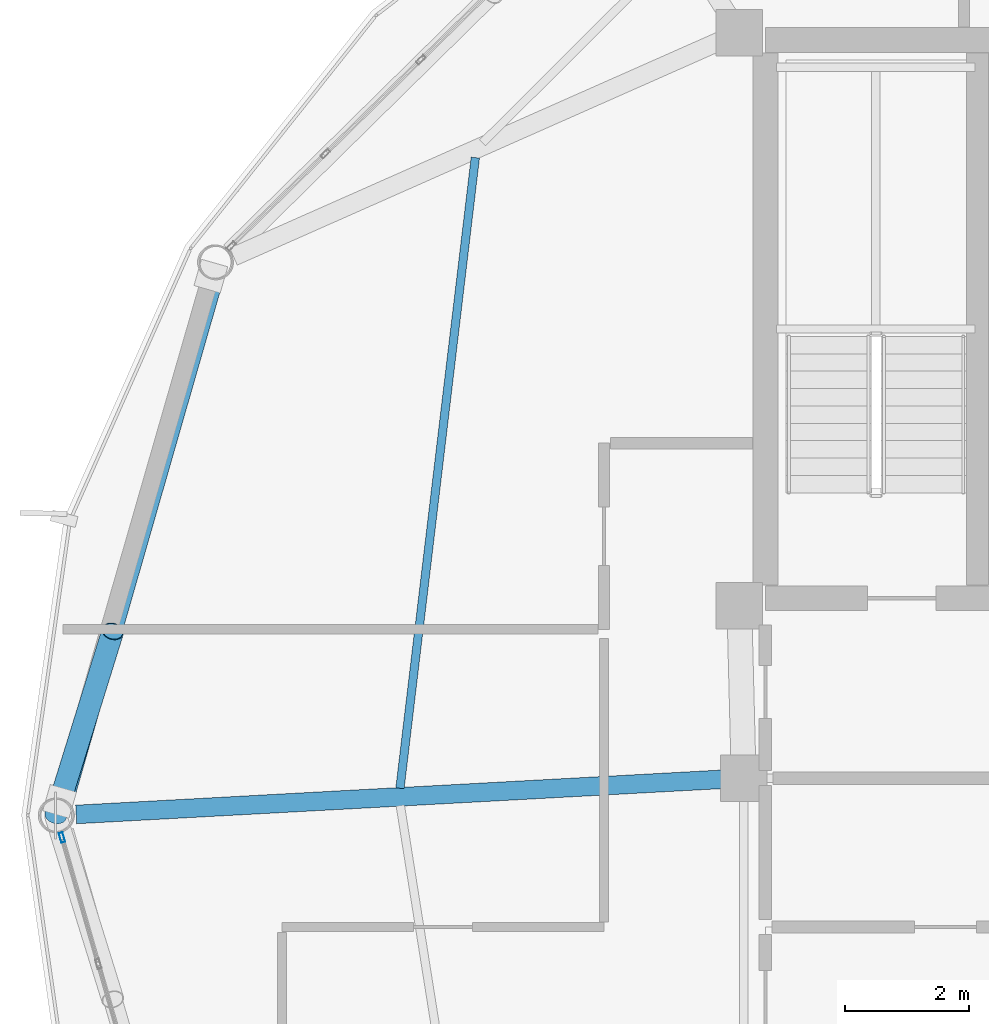
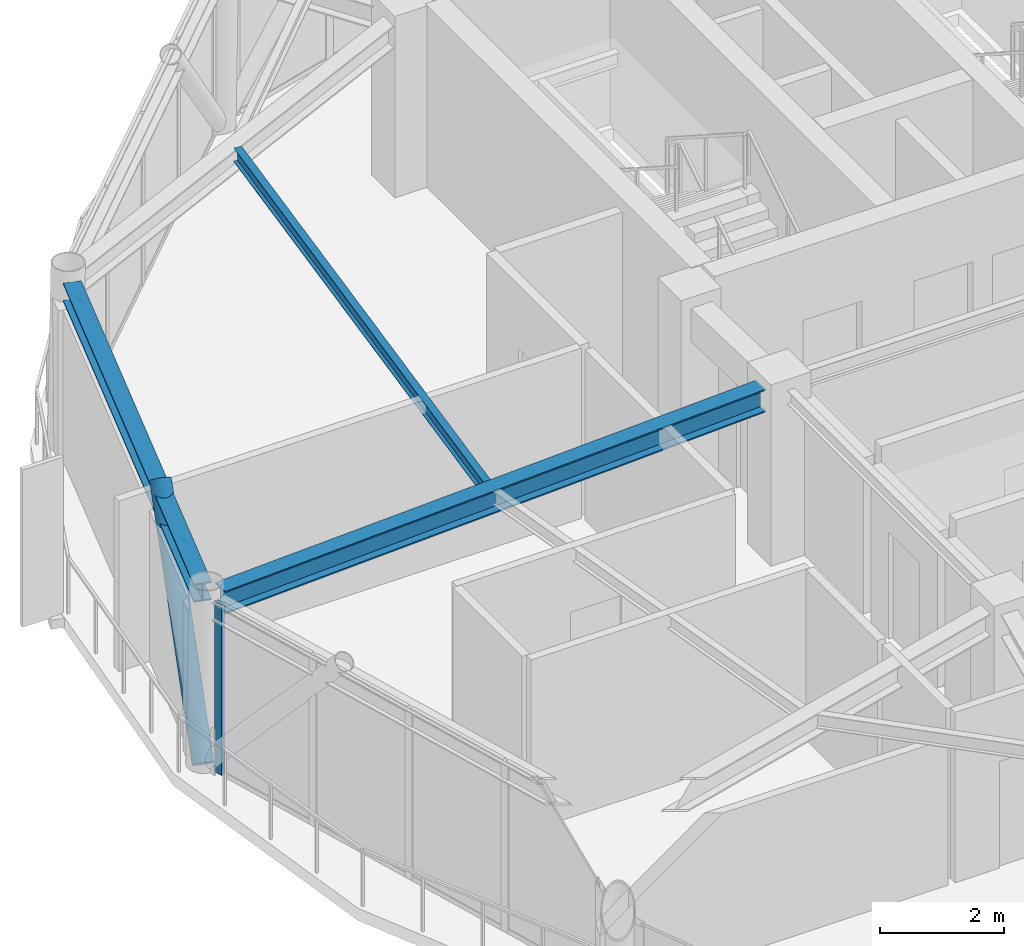
# One storey, part 10 of 25: 3 beams, 2 members, 1 element without a shape of its own.
"""IFC4 building model written with IfcOpenShell, lengths in metres."""

from ifc_helpers import new_model, si_unit, direction, frame, origin, origin_2d, place, context, subcontext, project, spatial, hollow_rectangle, hollow_circle, i_section, extrude, material, layer, layer_set, material_profile, profile_set, type_object, element, aggregate, save


model = new_model("IFC4")

# Units and contexts
model_context = context("Model", 3, precision=1e-05, world=origin(), true_north=direction((0.0, 1.0)))
body_context = subcontext(model_context, "Body", "Model", "MODEL_VIEW")
ifc_project = project(units=[si_unit("LENGTHUNIT", "METRE"), si_unit("AREAUNIT", "SQUARE_METRE"), si_unit("VOLUMEUNIT", "CUBIC_METRE"), si_unit("PLANEANGLEUNIT", "RADIAN"), si_unit("MASSUNIT", "GRAM", prefix="KILO")], contexts=[model_context])

# Site, building, storey
site_placement = place(None, origin())
site = spatial("IfcSite", under=ifc_project, at=site_placement, CompositionType="ELEMENT")
building_placement = place(site_placement, origin())
building = spatial("IfcBuilding", under=site, at=building_placement, Name="Varnakorn Sky Granary", CompositionType="ELEMENT")
storey_placement = place(building_placement, frame((0.0, 0.0, 259.800048828125)))
storey = spatial("IfcBuildingStorey", under=building, at=storey_placement, Name="L66", CompositionType="ELEMENT", Elevation=259.800048828125)

# Beams
ifc_material_1 = material(Name="Steel S355JR", Category="steel")
ifc_material_profile_1 = material_profile(ifc_material_1, i_section(OverallWidth=0.300048828125, OverallDepth=0.449951171875, WebThickness=0.013916015625, FlangeThickness=0.02587890625, at=origin_2d()), Name="HE 450 B")
ifc_profile_set_1 = profile_set([ifc_material_profile_1], Name="Steel S355JR")
beam_type_1 = type_object("IfcBeamType", Name="BM-RAD-Z5", PredefinedType="BEAM", material=ifc_profile_set_1)
beam_1_placement = place(storey_placement, frame((-2.70458984375, 0.580810546875, 3.135009765625), z_axis=(-0.998521724967, -0.054354068558, 0.0), x_axis=(0.054354068558, -0.998521724967, 0.0)))
element("IfcBeam", 1, at=beam_1_placement, inside=storey, type_object=beam_type_1, Name="Radial Floor Girder RG07 L66", PredefinedType="BEAM", context=body_context, shape_type="SweptSolid", body=[
    extrude(i_section(OverallWidth=0.300048828125, OverallDepth=0.449951171875, WebThickness=0.013916015625, FlangeThickness=0.02587890625, at=origin_2d()), origin(), (0.0, 0.0, 1.0), 10.420654296875),
])
ifc_material_profile_2 = material_profile(ifc_material_1, i_section(OverallWidth=0.135009765625, OverallDepth=0.27001953125, WebThickness=0.006591796875, FlangeThickness=0.01025390625, at=origin_2d()), Name="IPE 270")
ifc_profile_set_2 = profile_set([ifc_material_profile_2], Name="Steel S355JR")
beam_type_2 = type_object("IfcBeamType", Name="BM-SEC-Z5", PredefinedType="BEAM", material=ifc_profile_set_2)
beam_2_placement = place(storey_placement, frame((-6.67578125, 10.60302734375, 3.224853515625), z_axis=(-0.118650637624, -0.992936063496, 0.0), x_axis=(0.992936063496, -0.118650637624, 0.0)))
element("IfcBeam", 2, at=beam_2_placement, inside=storey, type_object=beam_type_2, Name="Secondary Floor Chord Beam MSB06 L66", PredefinedType="BEAM", context=body_context, shape_type="SweptSolid", body=[
    extrude(i_section(OverallWidth=0.135009765625, OverallDepth=0.27001953125, WebThickness=0.006591796875, FlangeThickness=0.01025390625, at=origin_2d()), origin(), (0.0, 0.0, 1.0), 10.23876953125),
])
ifc_material_profile_3 = material_profile(ifc_material_1, i_section(OverallWidth=0.300048828125, OverallDepth=0.360107421875, WebThickness=0.012451171875, FlangeThickness=0.0224609375, at=origin_2d()), Name="HE 360 B")
ifc_profile_set_3 = profile_set([ifc_material_profile_3], Name="Steel S355JR")
beam_type_3 = type_object("IfcBeamType", Name="BM-SPD-Z5", PredefinedType="SPANDREL", material=ifc_profile_set_3)
beam_3_placement = place(storey_placement, frame((-10.888671875, 8.646728515625, 3.179931640625), z_axis=(-0.276227370321, -0.961092316006, 0.0), x_axis=(0.961092316006, -0.276227370321, 0.0)))
element("IfcBeam", 3, at=beam_3_placement, inside=storey, type_object=beam_type_3, Name="Perimeter Spandrel Ring Beam RB06 L66", PredefinedType="SPANDREL", context=body_context, shape_type="SweptSolid", body=[
    extrude(i_section(OverallWidth=0.300048828125, OverallDepth=0.360107421875, WebThickness=0.012451171875, FlangeThickness=0.0224609375, at=origin_2d()), origin(), (0.0, 0.0, 1.0), 8.732421875),
])

# Curtain wall, member
ifc_material_2 = material(Name="Anodised Bronze Aluminium Alloy 6063-T6", Category="aluminium")
ifc_layer = layer(ifc_material_2, 0.159912109375, Name="Anodised Bronze Aluminium Alloy 6063-T6")
ifc_layer_set = layer_set([ifc_layer], Name="Anodised Bronze Aluminium Alloy 6063-T6")
curtain_wall_type = type_object("IfcCurtainWallType", Name="CW-OFF-1", PredefinedType="USERDEFINED", material=ifc_layer_set)
curtain_wall_placement = place(storey_placement, origin())
curtain_wall = element("IfcCurtainWall", 4, at=curtain_wall_placement, inside=storey, type_object=curtain_wall_type, Name="Unitised Curtain Wall CW6 CW-L66-B07", ObjectType="CURTAIN WALL", PredefinedType="USERDEFINED")
ifc_material_profile_4 = material_profile(ifc_material_2, hollow_rectangle(XDim=0.06494140625, YDim=0.159912109375, WallThickness=0.00341796875, at=origin_2d()), Name="ALU MULL 65x160")
ifc_profile_set_4 = profile_set([ifc_material_profile_4], Name="Anodised Bronze Aluminium Alloy 6063-T6")
member_type_1 = type_object("IfcMemberType", Name="CW-OFF-1-MULL", PredefinedType="MULLION", material=ifc_profile_set_4)
member_1_placement = place(storey_placement, frame((-13.339111328125, -0.357421875, 0.0), z_axis=(0.0, 0.0, 1.0), x_axis=(-0.960963029638, -0.27667680725, 0.0)))
member_1 = element("IfcMember", 5, at=member_1_placement, type_object=member_type_1, Name="CW6 mullion 5", PredefinedType="MULLION", context=body_context, shape_type="SweptSolid", body=[
    extrude(hollow_rectangle(XDim=0.06494140625, YDim=0.159912109375, WallThickness=0.00341796875, at=origin_2d()), origin(), (0.0, 0.0, 1.0), 3.35986328125),
])
aggregate(curtain_wall, [member_1])

# Member
ifc_material_3 = material(Name="Steel S460M", Category="steel")
ifc_material_profile_5 = material_profile(ifc_material_3, hollow_circle(Radius=0.177734375, WallThickness=0.01416015625, at=origin_2d()), Name="CHS 355.6x14")
ifc_profile_set_5 = profile_set([ifc_material_profile_5], Name="Steel S460M")
member_type_2 = type_object("IfcMemberType", Name="MB-DIAG-T5", PredefinedType="BRACE", material=ifc_profile_set_5)
member_2_placement = place(storey_placement, frame((-13.44189453125, 0.0, 0.0), z_axis=(0.197042578639, 0.635019479768, 0.746943426585), x_axis=(-0.955077944049, 0.296354721222, 0.0)))
element("IfcMember", 6, at=member_2_placement, inside=storey, type_object=member_type_2, Name="Perimeter CHS Diagrid Brace DG06 L66", PredefinedType="BRACE", context=body_context, shape_type="SweptSolid", body=[
    extrude(hollow_circle(Radius=0.177734375, WallThickness=0.01416015625, at=origin_2d()), origin(), (0.0, 0.0, 1.0), 4.67236328125),
])

save(model, "model.ifc")
